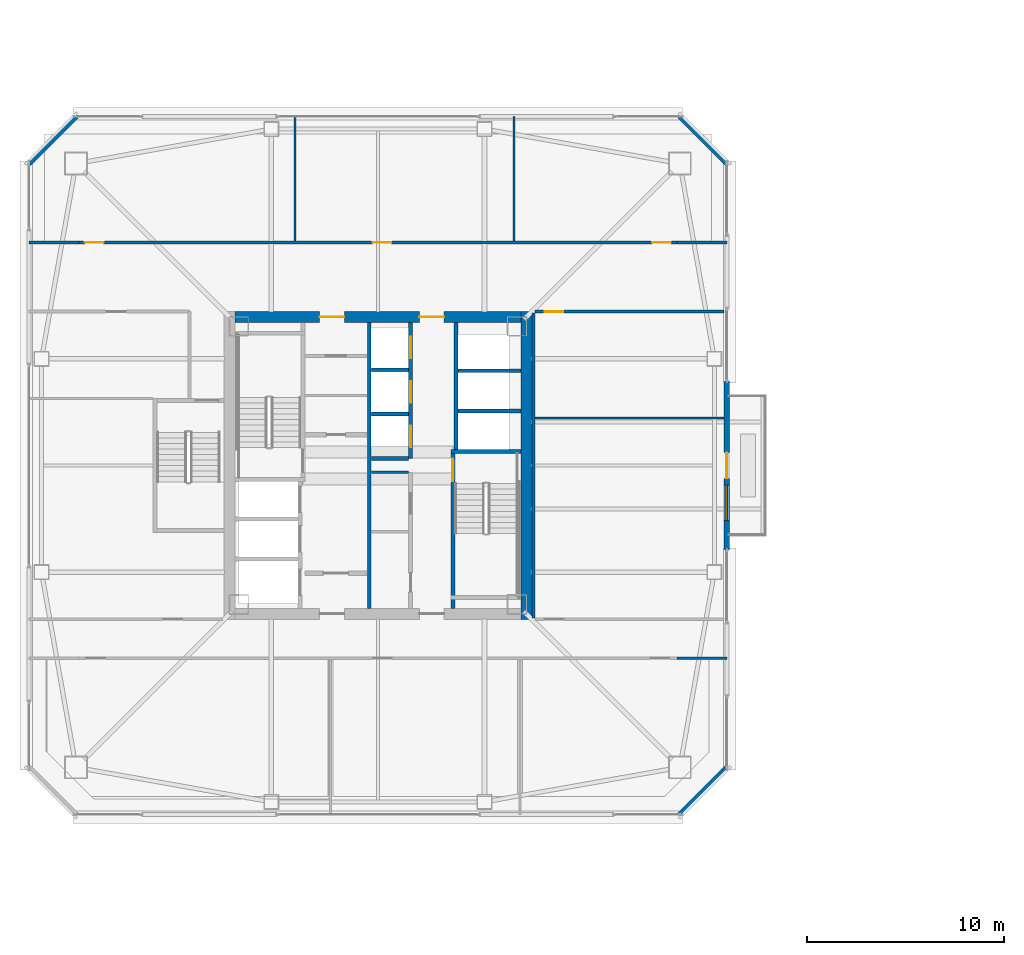
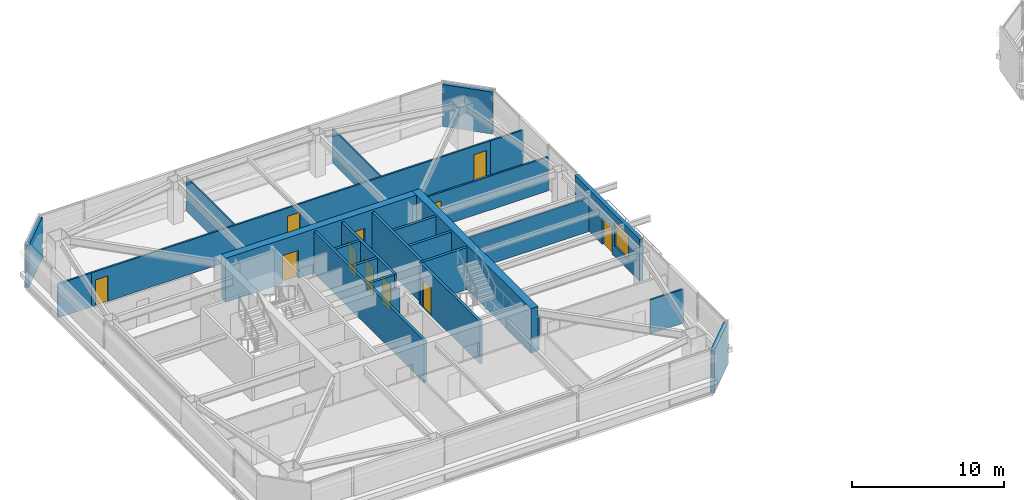
# One storey, part 32 of 41: 26 walls, 11 doors, 1 window, 12 openings.
"""IFC4 building model written with IfcOpenShell, lengths in metres."""

from ifc_helpers import new_model, si_unit, direction, frame, frame_2d, origin, place, context, subcontext, project, spatial, rectangle, extrude, material, layer, layer_set, type_object, element, fill, save


model = new_model("IFC4")

# Units and contexts
model_context = context("Model", 3, precision=1e-05, world=origin(), true_north=direction((0.0, 1.0)))
body_context = subcontext(model_context, "Body", "Model", "MODEL_VIEW")
ifc_project = project(units=[si_unit("LENGTHUNIT", "METRE"), si_unit("AREAUNIT", "SQUARE_METRE"), si_unit("VOLUMEUNIT", "CUBIC_METRE"), si_unit("PLANEANGLEUNIT", "RADIAN"), si_unit("MASSUNIT", "GRAM", prefix="KILO")], contexts=[model_context])

# Site, building, storey
site_placement = place(None, origin())
site = spatial("IfcSite", under=ifc_project, at=site_placement, CompositionType="ELEMENT")
building_placement = place(site_placement, origin())
building = spatial("IfcBuilding", under=site, at=building_placement, Name="Tashvorn Skyway Center", CompositionType="ELEMENT")
storey_placement = place(building_placement, frame((0.0, 0.0, 171.199951171875)))
storey = spatial("IfcBuildingStorey", under=building, at=storey_placement, Name="L46", CompositionType="ELEMENT", Elevation=171.199951171875)

# Wall
ifc_material_1 = material(Name="Concrete C60/75", Category="concrete")
ifc_layer_1 = layer(ifc_material_1, 0.550048828125)
ifc_layer_set_1 = layer_set([ifc_layer_1], Name="Concrete C60/75")
wall_type_1 = type_object("IfcWallType", Name="WALL-CORE-550", PredefinedType="SHEAR", material=ifc_layer_set_1)
wall_1_placement = place(storey_placement, frame((49.52490234375, 39.800048828125, 0.0), z_axis=(0.0, 0.0, 1.0), x_axis=(0.0, -1.0, 0.0)))
element("IfcWall", 1, at=wall_1_placement, inside=storey, type_object=wall_type_1, Name="Tower 1 L46 East Core Shear Wall", PredefinedType="SHEAR", context=body_context, shape_type="SweptSolid", body=[
    extrude(rectangle(XDim=15.60009765625, YDim=0.550048828125, at=frame_2d((7.800048828125, 0.0))), origin(), (0.0, 0.0, 1.0), 3.550048828125),
])

# Wall, openings, doors
wall_2_placement = place(storey_placement, frame((34.75, 39.52490234375, 0.0), z_axis=(0.0, 0.0, 1.0), x_axis=(1.0, 0.0, 0.0)))
wall_2 = element("IfcWall", 2, at=wall_2_placement, inside=storey, type_object=wall_type_1, Name="Tower 1 L46 North Core Shear Wall", PredefinedType="SHEAR", context=body_context, shape_type="SweptSolid", body=[
    extrude(rectangle(XDim=14.5, YDim=0.550048828125, at=frame_2d((7.25, 0.0))), origin(), (0.0, 0.0, 1.0), 3.550048828125),
])
opening_1_placement = place(wall_2_placement, frame((4.300048828125, 0.0, 0.0)))
opening_1 = element("IfcOpeningElement", 3, at=opening_1_placement, cuts=wall_2, Name="Opening D-FFL-1250", PredefinedType="OPENING", context=body_context, shape_type="SweptSolid", body=[
    extrude(rectangle(XDim=1.25, YDim=2.25, at=frame_2d((0.625, 1.125))), frame((0.0, 0.284912109375, 0.0), z_axis=(0.0, -1.0, 0.0), x_axis=(1.0, 0.0, 0.0)), (0.0, 0.0, 1.0), 0.570068359375),
])
opening_2_placement = place(wall_2_placement, frame((9.35009765625, 0.0, 0.0)))
opening_2 = element("IfcOpeningElement", 4, at=opening_2_placement, cuts=wall_2, Name="Opening D-FFL-1250", PredefinedType="OPENING", context=body_context, shape_type="SweptSolid", body=[
    extrude(rectangle(XDim=1.25, YDim=2.25, at=frame_2d((0.625, 1.125))), frame((0.0, 0.284912109375, 0.0), z_axis=(0.0, -1.0, 0.0), x_axis=(1.0, 0.0, 0.0)), (0.0, 0.0, 1.0), 0.570068359375),
])
ifc_material_2 = material(Name="Hollow galvanized steel fire door assembly", Category="steel")
door_type_1 = type_object("IfcDoorType", Name="DOOR-FFL-1250", OperationType="NOTDEFINED", PredefinedType="DOOR", material=ifc_material_2)
door_1_placement = place(opening_1_placement, origin())
door_1 = element("IfcDoor", 5, at=door_1_placement, inside=storey, type_object=door_type_1, Name="Tower 1 L46 Core North Service Lobby Door", OperationType="SINGLE_SWING_LEFT", OverallHeight=2.25, OverallWidth=1.25, PredefinedType="DOOR", context=body_context, shape_type="SweptSolid", body=[
    extrude(rectangle(XDim=1.25, YDim=2.25, at=frame_2d((0.625, 1.125))), frame((0.0, 0.02490234375, 0.0), z_axis=(0.0, -1.0, 0.0), x_axis=(1.0, 0.0, 0.0)), (0.0, 0.0, 1.0), 0.050048828125),
])
fill(opening_1, door_1)
door_2_placement = place(opening_2_placement, origin())
door_2 = element("IfcDoor", 6, at=door_2_placement, inside=storey, type_object=door_type_1, Name="Tower 1 L46 Core North Lift Lobby Door", OperationType="SINGLE_SWING_RIGHT", OverallHeight=2.25, OverallWidth=1.25, PredefinedType="DOOR", context=body_context, shape_type="SweptSolid", body=[
    extrude(rectangle(XDim=1.25, YDim=2.25, at=frame_2d((0.625, 1.125))), frame((0.0, 0.02490234375, 0.0), z_axis=(0.0, -1.0, 0.0), x_axis=(1.0, 0.0, 0.0)), (0.0, 0.0, 1.0), 0.050048828125),
])
fill(opening_2, door_2)

# Wall, openings, door, window
ifc_material_3 = material(Name="Precast concrete C40/50", Category="concrete")
ifc_layer_2 = layer(ifc_material_3, 0.280029296875)
ifc_layer_set_2 = layer_set([ifc_layer_2], Name="Precast concrete C40/50")
wall_type_2 = type_object("IfcWallType", Name="WALL-EXT-280", PredefinedType="SOLIDWALL", material=ifc_layer_set_2)
wall_3_placement = place(storey_placement, frame((59.679931640625, 36.25, 0.0), z_axis=(0.0, 0.0, 1.0), x_axis=(0.0, -1.0, 0.0)))
wall_3 = element("IfcWall", 7, at=wall_3_placement, inside=storey, type_object=wall_type_2, Name="Tower 1 L46 East Terrace Portal Wall", PredefinedType="SOLIDWALL", context=body_context, shape_type="SweptSolid", body=[
    extrude(rectangle(XDim=8.5, YDim=0.280029296875, at=frame_2d((4.25, 0.0))), origin(), (0.0, 0.0, 1.0), 3.3701171875),
])
opening_3_placement = place(wall_3_placement, frame((3.60009765625, 0.0, 0.0)))
opening_3 = element("IfcOpeningElement", 8, at=opening_3_placement, cuts=wall_3, Name="Opening D-TER-1300", PredefinedType="OPENING", context=body_context, shape_type="SweptSolid", body=[
    extrude(rectangle(XDim=1.300048828125, YDim=2.14990234375, at=frame_2d((0.64990234375, 1.074951171875))), frame((0.0, 0.14990234375, 0.0), z_axis=(0.0, -1.0, 0.0), x_axis=(1.0, 0.0, 0.0)), (0.0, 0.0, 1.0), 0.300048828125),
])
opening_4_placement = place(wall_3_placement, frame((5.239990234375, 0.0, 0.85009765625)))
opening_4 = element("IfcOpeningElement", 9, at=opening_4_placement, cuts=wall_3, Name="Opening WIN-1800", PredefinedType="OPENING", context=body_context, shape_type="SweptSolid", body=[
    extrude(rectangle(XDim=1.800048828125, YDim=1.919921875, at=frame_2d((0.89990234375, 0.9599609375))), frame((0.0, 0.14990234375, 0.0), z_axis=(0.0, -1.0, 0.0), x_axis=(1.0, 0.0, 0.0)), (0.0, 0.0, 1.0), 0.300048828125),
])
ifc_material_4 = material(Name="Thermally broken bronze-anodized aluminium 6063-T6", Category="aluminium")
door_type_2 = type_object("IfcDoorType", Name="DOOR-TERR-1300", OperationType="NOTDEFINED", PredefinedType="DOOR", material=ifc_material_4)
door_3_placement = place(opening_3_placement, origin())
door_3 = element("IfcDoor", 10, at=door_3_placement, inside=storey, type_object=door_type_2, Name="Tower 1 L46 Terrace Access Door", OperationType="SINGLE_SWING_RIGHT", OverallHeight=2.14990234375, OverallWidth=1.300048828125, PredefinedType="DOOR", context=body_context, shape_type="SweptSolid", body=[
    extrude(rectangle(XDim=1.300048828125, YDim=2.14990234375, at=frame_2d((0.64990234375, 1.074951171875))), frame((0.0, 0.02490234375, 0.0), z_axis=(0.0, -1.0, 0.0), x_axis=(1.0, 0.0, 0.0)), (0.0, 0.0, 1.0), 0.050048828125),
])
fill(opening_3, door_3)
ifc_material_5 = material(Name="Low-E solar-control double insulating safety glass", Category="glass")
window_type = type_object("IfcWindowType", Name="WIN-TERR-1800", PartitioningType="SINGLE_PANEL", PredefinedType="WINDOW", material=ifc_material_5)
window_placement = place(opening_4_placement, origin())
window = element("IfcWindow", 11, at=window_placement, inside=storey, type_object=window_type, Name="Tower 1 L46 Terrace Window", OverallHeight=1.919921875, OverallWidth=1.800048828125, PartitioningType="SINGLE_PANEL", PredefinedType="WINDOW", context=body_context, shape_type="SweptSolid", body=[
    extrude(rectangle(XDim=1.800048828125, YDim=1.919921875, at=frame_2d((0.89990234375, 0.9599609375))), frame((0.0, 0.030029296875, 0.0), z_axis=(0.0, -1.0, 0.0), x_axis=(1.0, 0.0, 0.0)), (0.0, 0.0, 1.0), 0.06005859375),
])
fill(opening_4, window)

# Walls
for number, where, z_axis, x_axis, name in (
    (12, (24.300048828125, 47.300048828125, 0.0), (0.0, 0.0, 1.0), (0.707106781187, 0.707106781187, 0.0), "Tower 1 L46 NW Precast Chamfer Wall"),
    (13, (57.300048828125, 49.699951171875, 0.0), (0.0, 0.0, 1.0), (0.707106781187, -0.707106781187, 0.0), "Tower 1 L46 NE Precast Chamfer Wall"),
    (14, (59.699951171875, 16.699951171875, 0.0), (0.0, 0.0, 1.0), (-0.707106781187, -0.707106781187, 0.0), "Tower 1 L46 SE Precast Chamfer Wall"),
):
    element("IfcWall", number, at=place(storey_placement, frame(where, z_axis=z_axis, x_axis=x_axis)), inside=storey, type_object=wall_type_2, Name=name, PredefinedType="SOLIDWALL", context=body_context, shape_type="SweptSolid", body=[
        extrude(rectangle(XDim=3.39404296875, YDim=0.280029296875, at=frame_2d((1.697021484375, 0.0))), origin(), (0.0, 0.0, 1.0), 3.3701171875),
    ])
ifc_material_6 = material(Name="Gypsum board on cold-formed steel stud framing", Category="steel")
ifc_layer_3 = layer(ifc_material_6, 0.110107421875)
ifc_layer_set_3 = layer_set([ifc_layer_3], Name="Gypsum board on cold-formed steel stud framing")
wall_type_3 = type_object("IfcWallType", Name="WALL-PART-110", PredefinedType="PARTITIONING", material=ifc_layer_set_3)
for number, where, z_axis, x_axis, name in (
    (15, (37.800048828125, 43.3798828125, 0.0), (0.0, 0.0, 1.0), (0.0, 1.0, 0.0), "Tower 1 L46 North Suite Partition 1"),
    (16, (48.89990234375, 43.3798828125, 0.0), (0.0, 0.0, 1.0), (0.0, 1.0, 0.0), "Tower 1 L46 North Suite Partition 2"),
):
    element("IfcWall", number, at=place(storey_placement, frame(where, z_axis=z_axis, x_axis=x_axis)), inside=storey, type_object=wall_type_3, Name=name, PredefinedType="PARTITIONING", context=body_context, shape_type="SweptSolid", body=[
        extrude(rectangle(XDim=6.300048828125, YDim=0.110107421875, at=frame_2d((3.14990234375, 0.0))), origin(), (0.0, 0.0, 1.0), 2.72314453125),
    ])
wall_4_placement = place(storey_placement, frame((49.9599609375, 34.39990234375, 0.0), z_axis=(0.0, 0.0, 1.0), x_axis=(1.0, 0.0, 0.0)))
element("IfcWall", 17, at=wall_4_placement, inside=storey, type_object=wall_type_3, Name="Tower 1 L46 East Mid Partition", PredefinedType="PARTITIONING", context=body_context, shape_type="SweptSolid", body=[
    extrude(rectangle(XDim=9.570068359375, YDim=0.110107421875, at=frame_2d((4.78515625, 0.0))), origin(), (0.0, 0.0, 1.0), 2.72314453125),
])

# Wall, openings, doors
ifc_layer_4 = layer(ifc_material_6, 0.135009765625)
ifc_layer_set_4 = layer_set([ifc_layer_4], Name="Gypsum board on cold-formed steel stud framing")
wall_type_4 = type_object("IfcWallType", Name="WALL-PART-135", PredefinedType="PARTITIONING", material=ifc_layer_set_4)
wall_5_placement = place(storey_placement, frame((26.85009765625, 43.300048828125, 0.0), z_axis=(0.0, 0.0, 1.0), x_axis=(1.0, 0.0, 0.0)))
wall_5 = element("IfcWall", 18, at=wall_5_placement, inside=storey, type_object=wall_type_4, Name="Tower 1 L46 North Suite Wall", PredefinedType="PARTITIONING", context=body_context, shape_type="SweptSolid", body=[
    extrude(rectangle(XDim=30.2998046875, YDim=0.135009765625, at=frame_2d((15.14990234375, 0.0))), origin(), (0.0, 0.0, 1.0), 2.72314453125),
])
opening_5_placement = place(wall_5_placement, frame((0.300048828125, 0.0, 0.0)))
opening_5 = element("IfcOpeningElement", 19, at=opening_5_placement, cuts=wall_5, Name="Opening D-INT-950", PredefinedType="OPENING", context=body_context, shape_type="SweptSolid", body=[
    extrude(rectangle(XDim=0.949951171875, YDim=2.050048828125, at=frame_2d((0.47509765625, 1.02490234375))), frame((0.0, 0.077392578125, 0.0), z_axis=(0.0, -1.0, 0.0), x_axis=(1.0, 0.0, 0.0)), (0.0, 0.0, 1.0), 0.155029296875),
])
opening_6_placement = place(wall_5_placement, frame((14.883056640625, 0.0, 0.0)))
opening_6 = element("IfcOpeningElement", 20, at=opening_6_placement, cuts=wall_5, Name="Opening D-INT-950", PredefinedType="OPENING", context=body_context, shape_type="SweptSolid", body=[
    extrude(rectangle(XDim=0.949951171875, YDim=2.050048828125, at=frame_2d((0.47509765625, 1.02490234375))), frame((0.0, 0.077392578125, 0.0), z_axis=(0.0, -1.0, 0.0), x_axis=(1.0, 0.0, 0.0)), (0.0, 0.0, 1.0), 0.155029296875),
])
opening_7_placement = place(wall_5_placement, frame((29.050048828125, 0.0, 0.0)))
opening_7 = element("IfcOpeningElement", 21, at=opening_7_placement, cuts=wall_5, Name="Opening D-INT-950", PredefinedType="OPENING", context=body_context, shape_type="SweptSolid", body=[
    extrude(rectangle(XDim=0.949951171875, YDim=2.050048828125, at=frame_2d((0.47509765625, 1.02490234375))), frame((0.0, 0.077392578125, 0.0), z_axis=(0.0, -1.0, 0.0), x_axis=(1.0, 0.0, 0.0)), (0.0, 0.0, 1.0), 0.155029296875),
])
ifc_material_7 = material(Name="Solid-core architectural oak veneer door")
door_type_3 = type_object("IfcDoorType", Name="DOOR-INT-950", OperationType="NOTDEFINED", PredefinedType="DOOR", material=ifc_material_7)
door_4_placement = place(opening_5_placement, origin())
door_4 = element("IfcDoor", 22, at=door_4_placement, inside=storey, type_object=door_type_3, Name="Tower 1 L46 Operations Control Room Door", OperationType="SINGLE_SWING_LEFT", OverallHeight=2.050048828125, OverallWidth=0.949951171875, PredefinedType="DOOR", context=body_context, shape_type="SweptSolid", body=[
    extrude(rectangle(XDim=0.949951171875, YDim=2.050048828125, at=frame_2d((0.47509765625, 1.02490234375))), frame((0.0, 0.02490234375, 0.0), z_axis=(0.0, -1.0, 0.0), x_axis=(1.0, 0.0, 0.0)), (0.0, 0.0, 1.0), 0.050048828125),
])
fill(opening_5, door_4)
door_5_placement = place(opening_6_placement, origin())
door_5 = element("IfcDoor", 23, at=door_5_placement, inside=storey, type_object=door_type_3, Name="Tower 1 L46 Operations Control Room Door", OperationType="SINGLE_SWING_RIGHT", OverallHeight=2.050048828125, OverallWidth=0.949951171875, PredefinedType="DOOR", context=body_context, shape_type="SweptSolid", body=[
    extrude(rectangle(XDim=0.949951171875, YDim=2.050048828125, at=frame_2d((0.47509765625, 1.02490234375))), frame((0.0, 0.02490234375, 0.0), z_axis=(0.0, -1.0, 0.0), x_axis=(1.0, 0.0, 0.0)), (0.0, 0.0, 1.0), 0.050048828125),
])
fill(opening_6, door_5)
door_6_placement = place(opening_7_placement, origin())
door_6 = element("IfcDoor", 24, at=door_6_placement, inside=storey, type_object=door_type_3, Name="Tower 1 L46 Security Control Room Door", OperationType="SINGLE_SWING_LEFT", OverallHeight=2.050048828125, OverallWidth=0.949951171875, PredefinedType="DOOR", context=body_context, shape_type="SweptSolid", body=[
    extrude(rectangle(XDim=0.949951171875, YDim=2.050048828125, at=frame_2d((0.47509765625, 1.02490234375))), frame((0.0, 0.02490234375, 0.0), z_axis=(0.0, -1.0, 0.0), x_axis=(1.0, 0.0, 0.0)), (0.0, 0.0, 1.0), 0.050048828125),
])
fill(opening_7, door_6)

# Walls
for number, where, z_axis, x_axis, name in (
    (25, (24.320068359375, 43.300048828125, 0.0), (0.0, 0.0, 1.0), (1.0, 0.0, 0.0), "Tower 1 L46 North-West Suite South Wall"),
    (26, (57.14990234375, 43.300048828125, 0.0), (0.0, 0.0, 1.0), (1.0, 0.0, 0.0), "Tower 1 L46 North-East Suite South Wall"),
    (27, (57.14990234375, 22.22998046875, 0.0), (0.0, 0.0, 1.0), (1.0, 0.0, 0.0), "Tower 1 L46 South-East Suite North Wall"),
):
    element("IfcWall", number, at=place(storey_placement, frame(where, z_axis=z_axis, x_axis=x_axis)), inside=storey, type_object=wall_type_4, Name=name, PredefinedType="PARTITIONING", context=body_context, shape_type="SweptSolid", body=[
        extrude(rectangle(XDim=2.530029296875, YDim=0.135009765625, at=frame_2d((1.26513671875, 0.0))), origin(), (0.0, 0.0, 1.0), 2.72314453125),
    ])
wall_6_placement = place(storey_placement, frame((49.8798828125, 39.719970703125, 0.0), z_axis=(0.0, 0.0, 1.0), x_axis=(0.0, -1.0, 0.0)))
element("IfcWall", 28, at=wall_6_placement, inside=storey, type_object=wall_type_4, Name="Tower 1 L46 East Inner Suite Wall", PredefinedType="PARTITIONING", context=body_context, shape_type="SweptSolid", body=[
    extrude(rectangle(XDim=15.43994140625, YDim=0.135009765625, at=frame_2d((7.719970703125, 0.0))), origin(), (0.0, 0.0, 1.0), 2.72314453125),
])

# Wall, opening, door
wall_7_placement = place(storey_placement, frame((59.530029296875, 39.800048828125, 0.0), z_axis=(0.0, 0.0, 1.0), x_axis=(-1.0, 0.0, 0.0)))
wall_7 = element("IfcWall", 29, at=wall_7_placement, inside=storey, type_object=wall_type_4, Name="Tower 1 L46 East Suite North Wall", PredefinedType="PARTITIONING", context=body_context, shape_type="SweptSolid", body=[
    extrude(rectangle(XDim=9.570068359375, YDim=0.135009765625, at=frame_2d((4.78515625, 0.0))), origin(), (0.0, 0.0, 1.0), 2.72314453125),
])
opening_8_placement = place(wall_7_placement, frame((8.1298828125, 0.0, 0.0)))
opening_8 = element("IfcOpeningElement", 30, at=opening_8_placement, cuts=wall_7, Name="Opening D-INT-950", PredefinedType="OPENING", context=body_context, shape_type="SweptSolid", body=[
    extrude(rectangle(XDim=0.949951171875, YDim=2.050048828125, at=frame_2d((0.47509765625, 1.02490234375))), frame((0.0, 0.077392578125, 0.0), z_axis=(0.0, -1.0, 0.0), x_axis=(1.0, 0.0, 0.0)), (0.0, 0.0, 1.0), 0.155029296875),
])
door_7_placement = place(opening_8_placement, origin())
door_7 = element("IfcDoor", 31, at=door_7_placement, inside=storey, type_object=door_type_3, Name="Tower 1 L46 Wellness Clinic Door", OperationType="SINGLE_SWING_LEFT", OverallHeight=2.050048828125, OverallWidth=0.949951171875, PredefinedType="DOOR", context=body_context, shape_type="SweptSolid", body=[
    extrude(rectangle(XDim=0.949951171875, YDim=2.050048828125, at=frame_2d((0.47509765625, 1.02490234375))), frame((0.0, 0.02490234375, 0.0), z_axis=(0.0, -1.0, 0.0), x_axis=(1.0, 0.0, 0.0)), (0.0, 0.0, 1.0), 0.050048828125),
])
fill(opening_8, door_7)

# Walls
ifc_layer_5 = layer(ifc_material_6, 0.135009765625)
ifc_layer_set_5 = layer_set([ifc_layer_5], Name="Gypsum board on cold-formed steel stud framing")
wall_type_5 = type_object("IfcWallType", Name="WALL-RATED-135", PredefinedType="PARTITIONING", material=ifc_layer_set_5)
wall_8_placement = place(storey_placement, frame((41.669921875, 31.64990234375, 0.0), z_axis=(0.0, 0.0, 1.0), x_axis=(1.0, 0.0, 0.0)))
element("IfcWall", 32, at=wall_8_placement, inside=storey, type_object=wall_type_5, Name="Tower 1 L46 Core Room Partition", PredefinedType="PARTITIONING", context=body_context, shape_type="SweptSolid", body=[
    extrude(rectangle(XDim=1.880126953125, YDim=0.135009765625, at=frame_2d((0.93994140625, 0.0))), origin(), (0.0, 0.0, 1.0), 2.72314453125),
])
ifc_material_8 = material(Name="Concrete C40/50", Category="concrete")
ifc_layer_6 = layer(ifc_material_8, 0.199951171875)
ifc_layer_set_6 = layer_set([ifc_layer_6], Name="Concrete C40/50")
wall_type_6 = type_object("IfcWallType", Name="WALL-SHAFT-200", PredefinedType="SOLIDWALL", material=ifc_layer_set_6)
for number, where, z_axis, x_axis, name in (
    (33, (46.050048828125, 34.75, 0.0), (0.0, 0.0, 1.0), (1.0, 0.0, 0.0), "Tower 1 L46 High-Rise Shaft Divider"),
    (34, (46.050048828125, 36.800048828125, 0.0), (0.0, 0.0, 1.0), (1.0, 0.0, 0.0), "Tower 1 L46 High-Rise Shaft Divider"),
):
    element("IfcWall", number, at=place(storey_placement, frame(where, z_axis=z_axis, x_axis=x_axis)), inside=storey, type_object=wall_type_6, Name=name, PredefinedType="SOLIDWALL", context=body_context, shape_type="SweptSolid", body=[
        extrude(rectangle(XDim=3.199951171875, YDim=0.199951171875, at=frame_2d((1.60009765625, 0.0))), origin(), (0.0, 0.0, 1.0), 3.3701171875),
    ])

# Wall, openings, doors
wall_9_placement = place(storey_placement, frame((43.64990234375, 32.35009765625, 0.0), z_axis=(0.0, 0.0, 1.0), x_axis=(0.0, 1.0, 0.0)))
wall_9 = element("IfcWall", 35, at=wall_9_placement, inside=storey, type_object=wall_type_6, Name="Tower 1 L46 Mid-Rise Core Wall", PredefinedType="SOLIDWALL", context=body_context, shape_type="SweptSolid", body=[
    extrude(rectangle(XDim=6.89990234375, YDim=0.199951171875, at=frame_2d((3.449951171875, 0.0))), origin(), (0.0, 0.0, 1.0), 3.3701171875),
])
opening_9_placement = place(wall_9_placement, frame((0.574951171875, 0.0, 0.0)))
opening_9 = element("IfcOpeningElement", 36, at=opening_9_placement, cuts=wall_9, Name="Opening LD-MR-T1-1-L46", PredefinedType="OPENING", context=body_context, shape_type="SweptSolid", body=[
    extrude(rectangle(XDim=1.10009765625, YDim=2.199951171875, at=frame_2d((0.550048828125, 1.10009765625))), frame((0.0, 0.10986328125, 0.0), z_axis=(0.0, -1.0, 0.0), x_axis=(1.0, 0.0, 0.0)), (0.0, 0.0, 1.0), 0.219970703125),
])
opening_10_placement = place(wall_9_placement, frame((2.824951171875, 0.0, 0.0)))
opening_10 = element("IfcOpeningElement", 37, at=opening_10_placement, cuts=wall_9, Name="Opening LD-MR-T1-2-L46", PredefinedType="OPENING", context=body_context, shape_type="SweptSolid", body=[
    extrude(rectangle(XDim=1.10009765625, YDim=2.199951171875, at=frame_2d((0.550048828125, 1.10009765625))), frame((0.0, 0.10986328125, 0.0), z_axis=(0.0, -1.0, 0.0), x_axis=(1.0, 0.0, 0.0)), (0.0, 0.0, 1.0), 0.219970703125),
])
opening_11_placement = place(wall_9_placement, frame((5.074951171875, 0.0, 0.0)))
opening_11 = element("IfcOpeningElement", 38, at=opening_11_placement, cuts=wall_9, Name="Opening LD-MR-T1-3-L46", PredefinedType="OPENING", context=body_context, shape_type="SweptSolid", body=[
    extrude(rectangle(XDim=1.10009765625, YDim=2.199951171875, at=frame_2d((0.550048828125, 1.10009765625))), frame((0.0, 0.10986328125, 0.0), z_axis=(0.0, -1.0, 0.0), x_axis=(1.0, 0.0, 0.0)), (0.0, 0.0, 1.0), 0.219970703125),
])
ifc_material_9 = material(Name="Stainless steel landing door", Category="steel")
door_type_4 = type_object("IfcDoorType", Name="DOOR-LIFT-1100", OperationType="SLIDING_TO_LEFT", PredefinedType="DOOR", material=ifc_material_9)
door_8_placement = place(opening_9_placement, origin())
door_8 = element("IfcDoor", 39, at=door_8_placement, inside=storey, type_object=door_type_4, Name="Lift MR-T1-1 L46 Landing Door", OperationType="SLIDING_TO_LEFT", OverallHeight=2.199951171875, OverallWidth=1.10009765625, PredefinedType="DOOR", context=body_context, shape_type="SweptSolid", body=[
    extrude(rectangle(XDim=1.10009765625, YDim=2.199951171875, at=frame_2d((0.550048828125, 1.10009765625))), frame((0.0, 0.02490234375, 0.0), z_axis=(0.0, -1.0, 0.0), x_axis=(1.0, 0.0, 0.0)), (0.0, 0.0, 1.0), 0.050048828125),
])
fill(opening_9, door_8)
door_9_placement = place(opening_10_placement, origin())
door_9 = element("IfcDoor", 40, at=door_9_placement, inside=storey, type_object=door_type_4, Name="Lift MR-T1-2 L46 Landing Door", OperationType="SLIDING_TO_LEFT", OverallHeight=2.199951171875, OverallWidth=1.10009765625, PredefinedType="DOOR", context=body_context, shape_type="SweptSolid", body=[
    extrude(rectangle(XDim=1.10009765625, YDim=2.199951171875, at=frame_2d((0.550048828125, 1.10009765625))), frame((0.0, 0.02490234375, 0.0), z_axis=(0.0, -1.0, 0.0), x_axis=(1.0, 0.0, 0.0)), (0.0, 0.0, 1.0), 0.050048828125),
])
fill(opening_10, door_9)
door_10_placement = place(opening_11_placement, origin())
door_10 = element("IfcDoor", 41, at=door_10_placement, inside=storey, type_object=door_type_4, Name="Lift MR-T1-3 L46 Landing Door", OperationType="SLIDING_TO_LEFT", OverallHeight=2.199951171875, OverallWidth=1.10009765625, PredefinedType="DOOR", context=body_context, shape_type="SweptSolid", body=[
    extrude(rectangle(XDim=1.10009765625, YDim=2.199951171875, at=frame_2d((0.550048828125, 1.10009765625))), frame((0.0, 0.02490234375, 0.0), z_axis=(0.0, -1.0, 0.0), x_axis=(1.0, 0.0, 0.0)), (0.0, 0.0, 1.0), 0.050048828125),
])
fill(opening_11, door_10)

# Walls
for number, where, z_axis, x_axis, name in (
    (42, (41.669921875, 32.35009765625, 0.0), (0.0, 0.0, 1.0), (1.0, 0.0, 0.0), "Tower 1 L46 Mid-Rise Shaft Divider"),
    (43, (41.669921875, 34.60009765625, 0.0), (0.0, 0.0, 1.0), (1.0, 0.0, 0.0), "Tower 1 L46 Mid-Rise Shaft Divider"),
    (44, (41.669921875, 36.85009765625, 0.0), (0.0, 0.0, 1.0), (1.0, 0.0, 0.0), "Tower 1 L46 Mid-Rise Shaft Divider"),
):
    element("IfcWall", number, at=place(storey_placement, frame(where, z_axis=z_axis, x_axis=x_axis)), inside=storey, type_object=wall_type_6, Name=name, PredefinedType="SOLIDWALL", context=body_context, shape_type="SweptSolid", body=[
        extrude(rectangle(XDim=1.880126953125, YDim=0.199951171875, at=frame_2d((0.93994140625, 0.0))), origin(), (0.0, 0.0, 1.0), 3.3701171875),
    ])

# Wall, opening, door
ifc_layer_7 = layer(ifc_material_8, 0.199951171875)
ifc_layer_set_7 = layer_set([ifc_layer_7], Name="Concrete C40/50")
wall_type_7 = type_object("IfcWallType", Name="WALL-STSHF-200", PredefinedType="SHEAR", material=ifc_layer_set_7)
wall_10_placement = place(storey_placement, frame((45.800048828125, 32.800048828125, 0.0), z_axis=(0.0, 0.0, 1.0), x_axis=(0.0, -1.0, 0.0)))
wall_10 = element("IfcWall", 45, at=wall_10_placement, inside=storey, type_object=wall_type_7, Name="Tower 1 L46 Stair 2 Enclosure Wall", PredefinedType="SHEAR", context=body_context, shape_type="SweptSolid", body=[
    extrude(rectangle(XDim=8.050048828125, YDim=0.199951171875, at=frame_2d((4.02490234375, 0.0))), origin(), (0.0, 0.0, 1.0), 3.3701171875),
])
opening_12_placement = place(wall_10_placement, frame((0.449951171875, 0.0, 0.0)))
opening_12 = element("IfcOpeningElement", 46, at=opening_12_placement, cuts=wall_10, Name="Opening D-ST-1150", PredefinedType="OPENING", context=body_context, shape_type="SweptSolid", body=[
    extrude(rectangle(XDim=1.14990234375, YDim=2.199951171875, at=frame_2d((0.574951171875, 1.10009765625))), frame((0.0, 0.10986328125, 0.0), z_axis=(0.0, -1.0, 0.0), x_axis=(1.0, 0.0, 0.0)), (0.0, 0.0, 1.0), 0.219970703125),
])
door_type_5 = type_object("IfcDoorType", Name="DOOR-STAIR-1150", OperationType="NOTDEFINED", PredefinedType="DOOR", material=ifc_material_2)
door_11_placement = place(opening_12_placement, origin())
door_11 = element("IfcDoor", 47, at=door_11_placement, inside=storey, type_object=door_type_5, Name="Tower 1 L46 Exit Stair 2 Door", OperationType="SINGLE_SWING_RIGHT", OverallHeight=2.199951171875, OverallWidth=1.14990234375, PredefinedType="DOOR", context=body_context, shape_type="SweptSolid", body=[
    extrude(rectangle(XDim=1.14990234375, YDim=2.199951171875, at=frame_2d((0.574951171875, 1.10009765625))), frame((0.0, 0.02490234375, 0.0), z_axis=(0.0, -1.0, 0.0), x_axis=(1.0, 0.0, 0.0)), (0.0, 0.0, 1.0), 0.050048828125),
])
fill(opening_12, door_11)

# Walls
wall_11_placement = place(storey_placement, frame((45.699951171875, 32.699951171875, 0.0), z_axis=(0.0, 0.0, 1.0), x_axis=(1.0, 0.0, 0.0)))
element("IfcWall", 48, at=wall_11_placement, inside=storey, type_object=wall_type_7, Name="Tower 1 L46 Stair 2 North Wall", PredefinedType="SHEAR", context=body_context, shape_type="SweptSolid", body=[
    extrude(rectangle(XDim=3.550048828125, YDim=0.199951171875, at=frame_2d((1.77490234375, 0.0))), origin(), (0.0, 0.0, 1.0), 3.3701171875),
])
wall_12_placement = place(storey_placement, frame((41.56005859375, 24.75, 0.0), z_axis=(0.0, 0.0, 1.0), x_axis=(0.0, 1.0, 0.0)))
element("IfcWall", 49, at=wall_12_placement, inside=storey, type_object=wall_type_7, Name="Tower 1 L46 Firefighting Lobby East Smoke Barrier", PredefinedType="SHEAR", context=body_context, shape_type="SweptSolid", body=[
    extrude(rectangle(XDim=14.5, YDim=0.199951171875, at=frame_2d((7.25, 0.0))), origin(), (0.0, 0.0, 1.0), 3.3701171875),
])
wall_13_placement = place(storey_placement, frame((45.949951171875, 39.25, 0.0), z_axis=(0.0, 0.0, 1.0), x_axis=(0.0, -1.0, 0.0)))
element("IfcWall", 50, at=wall_13_placement, inside=storey, type_object=wall_type_7, Name="Tower 1 L46 High-Rise Lift Shaft Front Wall", PredefinedType="SHEAR", context=body_context, shape_type="SweptSolid", body=[
    extrude(rectangle(XDim=6.449951171875, YDim=0.199951171875, at=frame_2d((3.22509765625, 0.0))), origin(), (0.0, 0.0, 1.0), 3.3701171875),
])

save(model, "model.ifc")
